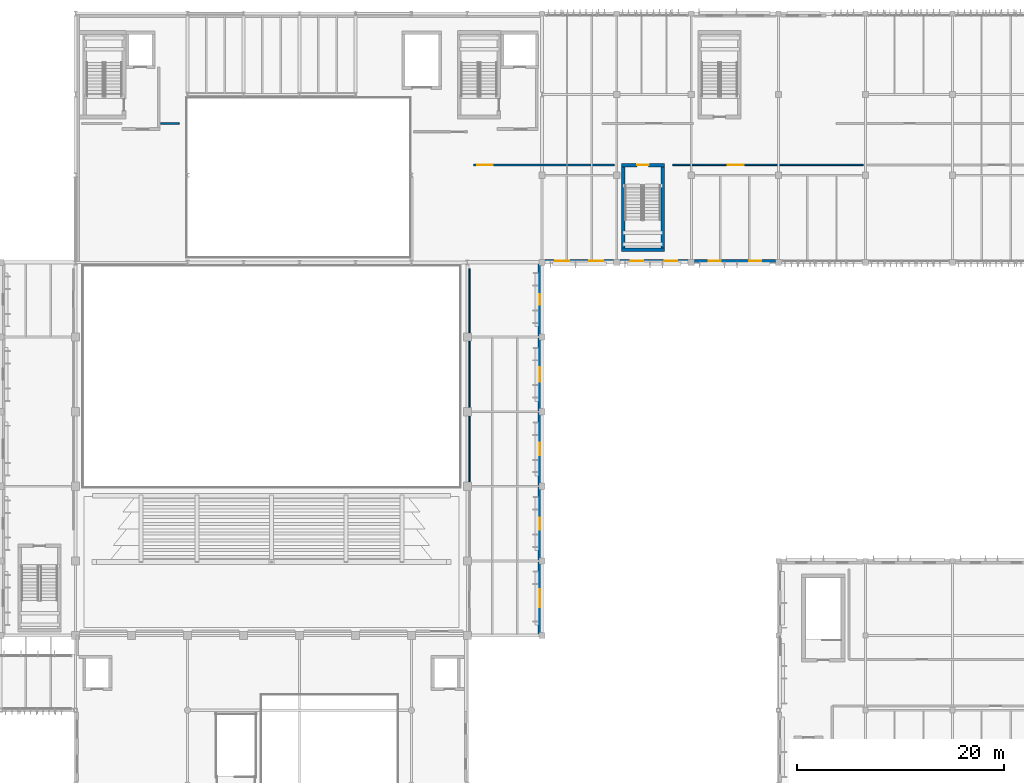
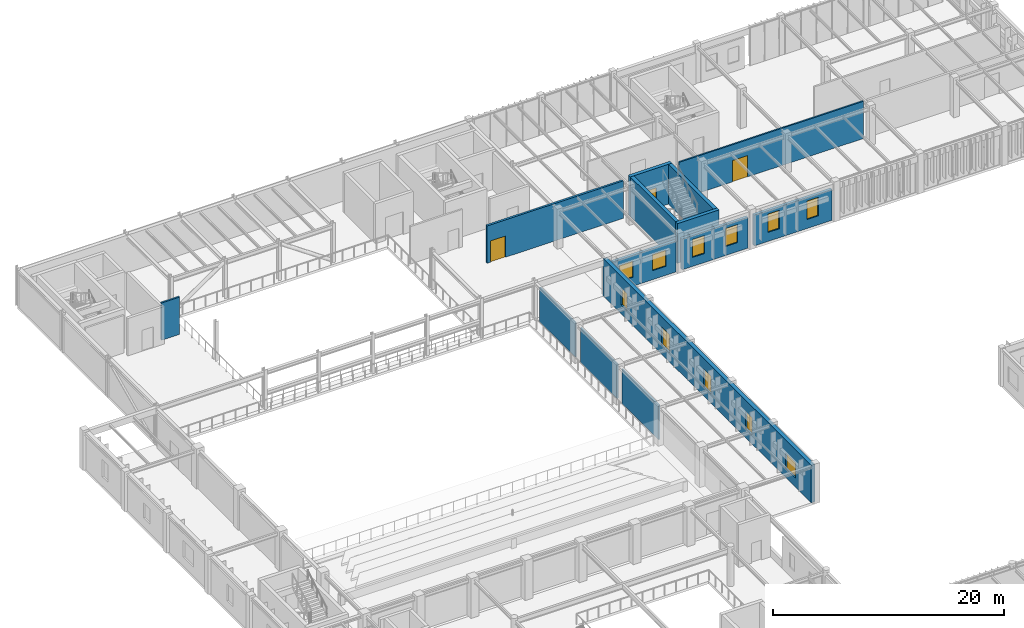
# One storey, part 44 of 104: 14 walls, 11 windows, 3 doors, 14 openings.
"""IFC4 building model written with IfcOpenShell, lengths in metres."""

from ifc_helpers import new_model, si_unit, direction, frame, frame_2d, origin, place, context, subcontext, project, spatial, rectangle, extrude, material, layer, layer_set, type_object, element, fill, save


model = new_model("IFC4")

# Units and contexts
model_context = context("Model", 3, precision=1e-05, world=origin(), true_north=direction((0.0, 1.0)))
body_context = subcontext(model_context, "Body", "Model", "MODEL_VIEW")
ifc_project = project(units=[si_unit("LENGTHUNIT", "METRE"), si_unit("AREAUNIT", "SQUARE_METRE"), si_unit("VOLUMEUNIT", "CUBIC_METRE"), si_unit("PLANEANGLEUNIT", "RADIAN"), si_unit("MASSUNIT", "GRAM", prefix="KILO")], contexts=[model_context])

# Site, building, storey
site_placement = place(None, origin())
site = spatial("IfcSite", under=ifc_project, at=site_placement, CompositionType="ELEMENT")
building_placement = place(site_placement, origin())
building = spatial("IfcBuilding", under=site, at=building_placement, Name="Tazoul Stagehouse", CompositionType="ELEMENT")
storey_placement = place(building_placement, frame((0.0, 0.0, 9.0)))
storey = spatial("IfcBuildingStorey", under=building, at=storey_placement, Name="L02", CompositionType="ELEMENT", Elevation=9.0)

# Wall, openings, windows
ifc_material_1 = material(Name="Concrete C40/50", Category="concrete")
ifc_layer_1 = layer(ifc_material_1, 0.3798828125, Name="Concrete C40/50")
ifc_layer_set_1 = layer_set([ifc_layer_1], Name="Concrete C40/50")
wall_type_1 = type_object("IfcWallType", Name="Auditorium Shell Acoustic Perimeter Wall 380", PredefinedType="SOLIDWALL", material=ifc_layer_set_1)
wall_1_placement = place(storey_placement, frame((102.409912109375, 87.800048828125, 0.0), z_axis=(0.0, 0.0, 1.0), x_axis=(0.0, -1.0, 0.0)))
wall_1 = element("IfcWall", 1, at=wall_1_placement, inside=storey, type_object=wall_type_1, Name="L02 Wall EW-380 (WALL-V1-E-L02-S1)", PredefinedType="SOLIDWALL", context=body_context, shape_type="SweptSolid", body=[
    extrude(rectangle(XDim=36.0, YDim=0.3798828125, at=frame_2d((18.0, 0.0))), origin(), (0.0, 0.0, 1.0), 3.9599609375),
])
opening_1_placement = place(wall_1_placement, frame((3.090087890625, 0.0, 0.949951171875)))
opening_1 = element("IfcOpeningElement", 2, at=opening_1_placement, cuts=wall_1, Name="Opening WN-62", PredefinedType="OPENING", context=body_context, shape_type="SweptSolid", body=[
    extrude(rectangle(XDim=1.02001953125, YDim=1.800048828125, at=frame_2d((0.510009765625, 0.89990234375))), frame((0.0, 0.2099609375, 0.0), z_axis=(0.0, -1.0, 0.0), x_axis=(1.0, 0.0, 0.0)), (0.0, 0.0, 1.0), 0.419921875),
])
opening_2_placement = place(wall_1_placement, frame((10.110107421875, 0.0, 0.949951171875)))
opening_2 = element("IfcOpeningElement", 3, at=opening_2_placement, cuts=wall_1, Name="Opening WN-74", PredefinedType="OPENING", context=body_context, shape_type="SweptSolid", body=[
    extrude(rectangle(XDim=1.3798828125, YDim=1.949951171875, at=frame_2d((0.68994140625, 0.97509765625))), frame((0.0, 0.2099609375, 0.0), z_axis=(0.0, -1.0, 0.0), x_axis=(1.0, 0.0, 0.0)), (0.0, 0.0, 1.0), 0.419921875),
])
opening_3_placement = place(wall_1_placement, frame((17.375, 0.0, 0.949951171875)))
opening_3 = element("IfcOpeningElement", 4, at=opening_3_placement, cuts=wall_1, Name="Opening WN-28", PredefinedType="OPENING", context=body_context, shape_type="SweptSolid", body=[
    extrude(rectangle(XDim=1.25, YDim=1.89990234375, at=frame_2d((0.625, 0.949951171875))), frame((0.0, 0.2099609375, 0.0), z_axis=(0.0, -1.0, 0.0), x_axis=(1.0, 0.0, 0.0)), (0.0, 0.0, 1.0), 0.419921875),
])
opening_4_placement = place(wall_1_placement, frame((24.6298828125, 0.0, 0.949951171875)))
opening_4 = element("IfcOpeningElement", 5, at=opening_4_placement, cuts=wall_1, Name="Opening WN-66", PredefinedType="OPENING", context=body_context, shape_type="SweptSolid", body=[
    extrude(rectangle(XDim=1.139892578125, YDim=1.85009765625, at=frame_2d((0.56982421875, 0.925048828125))), frame((0.0, 0.2099609375, 0.0), z_axis=(0.0, -1.0, 0.0), x_axis=(1.0, 0.0, 0.0)), (0.0, 0.0, 1.0), 0.419921875),
])
opening_5_placement = place(wall_1_placement, frame((31.52490234375, 0.0, 0.949951171875)))
opening_5 = element("IfcOpeningElement", 6, at=opening_5_placement, cuts=wall_1, Name="Opening WN-26", PredefinedType="OPENING", context=body_context, shape_type="SweptSolid", body=[
    extrude(rectangle(XDim=1.75, YDim=1.64990234375, at=frame_2d((0.875, 0.824951171875))), frame((0.0, 0.2099609375, 0.0), z_axis=(0.0, -1.0, 0.0), x_axis=(1.0, 0.0, 0.0)), (0.0, 0.0, 1.0), 0.419921875),
])
ifc_material_2 = material(Name="Double Low-E Acoustic Laminated Glass", Category="glass")
window_type_1 = type_object("IfcWindowType", Name="Architectural Acoustic Facade Window 1020x1800", PartitioningType="SINGLE_PANEL", PredefinedType="WINDOW", material=ifc_material_2)
window_1_placement = place(opening_1_placement, origin())
window_1 = element("IfcWindow", 7, at=window_1_placement, inside=storey, type_object=window_type_1, Name="L02 Window WN-62 (WALL-V1-E-L02-S1-B1-W1)", OverallHeight=1.800048828125, OverallWidth=1.02001953125, PartitioningType="SINGLE_PANEL", PredefinedType="WINDOW", context=body_context, shape_type="SweptSolid", body=[
    extrude(rectangle(XDim=1.02001953125, YDim=1.800048828125, at=frame_2d((0.510009765625, 0.89990234375))), frame((0.0, 0.030029296875, 0.0), z_axis=(0.0, -1.0, 0.0), x_axis=(1.0, 0.0, 0.0)), (0.0, 0.0, 1.0), 0.06005859375),
])
fill(opening_1, window_1)
window_type_2 = type_object("IfcWindowType", Name="Architectural Acoustic Facade Window 1140x1850", PartitioningType="SINGLE_PANEL", PredefinedType="WINDOW", material=ifc_material_2)
window_2_placement = place(opening_4_placement, origin())
window_2 = element("IfcWindow", 8, at=window_2_placement, inside=storey, type_object=window_type_2, Name="L02 Window WN-66 (WALL-V1-E-L02-S1-B4-W1)", OverallHeight=1.85009765625, OverallWidth=1.139892578125, PartitioningType="SINGLE_PANEL", PredefinedType="WINDOW", context=body_context, shape_type="SweptSolid", body=[
    extrude(rectangle(XDim=1.139892578125, YDim=1.85009765625, at=frame_2d((0.56982421875, 0.925048828125))), frame((0.0, 0.030029296875, 0.0), z_axis=(0.0, -1.0, 0.0), x_axis=(1.0, 0.0, 0.0)), (0.0, 0.0, 1.0), 0.06005859375),
])
fill(opening_4, window_2)
window_type_3 = type_object("IfcWindowType", Name="Architectural Acoustic Facade Window 1380x1950", PartitioningType="SINGLE_PANEL", PredefinedType="WINDOW", material=ifc_material_2)
window_3_placement = place(opening_2_placement, origin())
window_3 = element("IfcWindow", 9, at=window_3_placement, inside=storey, type_object=window_type_3, Name="L02 Window WN-74 (WALL-V1-E-L02-S1-B2-W1)", OverallHeight=1.949951171875, OverallWidth=1.3798828125, PartitioningType="SINGLE_PANEL", PredefinedType="WINDOW", context=body_context, shape_type="SweptSolid", body=[
    extrude(rectangle(XDim=1.3798828125, YDim=1.949951171875, at=frame_2d((0.68994140625, 0.97509765625))), frame((0.0, 0.030029296875, 0.0), z_axis=(0.0, -1.0, 0.0), x_axis=(1.0, 0.0, 0.0)), (0.0, 0.0, 1.0), 0.06005859375),
])
fill(opening_2, window_3)
window_type_4 = type_object("IfcWindowType", Name="Black-Box Studio Window 1250x1900", PartitioningType="SINGLE_PANEL", PredefinedType="WINDOW", material=ifc_material_2)
window_4_placement = place(opening_3_placement, origin())
window_4 = element("IfcWindow", 10, at=window_4_placement, inside=storey, type_object=window_type_4, Name="L02 Window WN-28 (WALL-V1-E-L02-S1-B3-W1)", OverallHeight=1.89990234375, OverallWidth=1.25, PartitioningType="SINGLE_PANEL", PredefinedType="WINDOW", context=body_context, shape_type="SweptSolid", body=[
    extrude(rectangle(XDim=1.25, YDim=1.89990234375, at=frame_2d((0.625, 0.949951171875))), frame((0.0, 0.030029296875, 0.0), z_axis=(0.0, -1.0, 0.0), x_axis=(1.0, 0.0, 0.0)), (0.0, 0.0, 1.0), 0.06005859375),
])
fill(opening_3, window_4)
window_type_5 = type_object("IfcWindowType", Name="Rehearsal Daylight Window 1750x1650", PartitioningType="SINGLE_PANEL", PredefinedType="WINDOW", material=ifc_material_2)
window_5_placement = place(opening_5_placement, origin())
window_5 = element("IfcWindow", 11, at=window_5_placement, inside=storey, type_object=window_type_5, Name="L02 Window WN-26 (WALL-V1-E-L02-S1-B5-W1)", OverallHeight=1.64990234375, OverallWidth=1.75, PartitioningType="SINGLE_PANEL", PredefinedType="WINDOW", context=body_context, shape_type="SweptSolid", body=[
    extrude(rectangle(XDim=1.75, YDim=1.64990234375, at=frame_2d((0.875, 0.824951171875))), frame((0.0, 0.030029296875, 0.0), z_axis=(0.0, -1.0, 0.0), x_axis=(1.0, 0.0, 0.0)), (0.0, 0.0, 1.0), 0.06005859375),
])
fill(opening_5, window_5)

# Walls
ifc_layer_2 = layer(ifc_material_1, 0.35009765625, Name="Concrete C40/50")
ifc_layer_set_2 = layer_set([ifc_layer_2], Name="Concrete C40/50")
wall_type_2 = type_object("IfcWallType", Name="Core Shear Wall 350", PredefinedType="SOLIDWALL", material=ifc_layer_set_2)
wall_2_placement = place(storey_placement, frame((114.39990234375, 89.02490234375, 0.0), z_axis=(0.0, 0.0, 1.0), x_axis=(-1.0, 0.0, 0.0)))
element("IfcWall", 12, at=wall_2_placement, inside=storey, type_object=wall_type_2, Name="L02 Core Wall CW-350 (SHF-ST-04-south)", PredefinedType="SOLIDWALL", context=body_context, shape_type="SweptSolid", body=[
    extrude(rectangle(XDim=4.14990234375, YDim=0.35009765625, at=frame_2d((2.074951171875, 0.0))), origin(), (0.0, 0.0, 1.0), 4.199951171875),
])
wall_3_placement = place(storey_placement, frame((110.425048828125, 89.199951171875, 0.0), z_axis=(0.0, 0.0, 1.0), x_axis=(0.0, 1.0, 0.0)))
element("IfcWall", 13, at=wall_3_placement, inside=storey, type_object=wall_type_2, Name="L02 Core Wall CW-350 (SHF-ST-04-west)", PredefinedType="SOLIDWALL", context=body_context, shape_type="SweptSolid", body=[
    extrude(rectangle(XDim=7.800048828125, YDim=0.35009765625, at=frame_2d((3.89990234375, 0.0))), origin(), (0.0, 0.0, 1.0), 4.199951171875),
])

# Wall, opening, door
wall_4_placement = place(storey_placement, frame((110.25, 97.175048828125, 0.0), z_axis=(0.0, 0.0, 1.0), x_axis=(1.0, 0.0, 0.0)))
wall_4 = element("IfcWall", 14, at=wall_4_placement, inside=storey, type_object=wall_type_2, Name="L02 Core Wall CW-350 (SHF-ST-04-north)", PredefinedType="SOLIDWALL", context=body_context, shape_type="SweptSolid", body=[
    extrude(rectangle(XDim=4.14990234375, YDim=0.35009765625, at=frame_2d((2.074951171875, 0.0))), origin(), (0.0, 0.0, 1.0), 4.199951171875),
])
opening_6_placement = place(wall_4_placement, frame((1.52490234375, 0.0, 0.0)))
opening_6 = element("IfcOpeningElement", 15, at=opening_6_placement, cuts=wall_4, Name="Opening FD-01", PredefinedType="OPENING", context=body_context, shape_type="SweptSolid", body=[
    extrude(rectangle(XDim=1.10009765625, YDim=2.14990234375, at=frame_2d((0.550048828125, 1.074951171875))), frame((0.0, 0.195068359375, 0.0), z_axis=(0.0, -1.0, 0.0), x_axis=(1.0, 0.0, 0.0)), (0.0, 0.0, 1.0), 0.39013671875),
])
ifc_material_3 = material(Name="Powder-Coated Galvanised Acoustic Steel", Category="steel")
door_type_1 = type_object("IfcDoorType", Name="Core Escape Stair Fire Door 1100x2150", OperationType="NOTDEFINED", PredefinedType="DOOR", material=ifc_material_3)
door_1_placement = place(opening_6_placement, origin())
door_1 = element("IfcDoor", 16, at=door_1_placement, inside=storey, type_object=door_type_1, Name="L02 Escape Stair Fire Door FD-01 (ST-04)", OperationType="SINGLE_SWING_RIGHT", OverallHeight=2.14990234375, OverallWidth=1.10009765625, PredefinedType="DOOR", context=body_context, shape_type="SweptSolid", body=[
    extrude(rectangle(XDim=1.10009765625, YDim=2.14990234375, at=frame_2d((0.550048828125, 1.074951171875))), frame((0.0, 0.02490234375, 0.0), z_axis=(0.0, -1.0, 0.0), x_axis=(1.0, 0.0, 0.0)), (0.0, 0.0, 1.0), 0.050048828125),
])
fill(opening_6, door_1)

# Walls
wall_5_placement = place(storey_placement, frame((114.22509765625, 97.0, 0.0), z_axis=(0.0, 0.0, 1.0), x_axis=(0.0, -1.0, 0.0)))
element("IfcWall", 17, at=wall_5_placement, inside=storey, type_object=wall_type_2, Name="L02 Core Wall CW-350 (SHF-ST-04-east)", PredefinedType="SOLIDWALL", context=body_context, shape_type="SweptSolid", body=[
    extrude(rectangle(XDim=7.800048828125, YDim=0.35009765625, at=frame_2d((3.89990234375, 0.0))), origin(), (0.0, 0.0, 1.0), 4.199951171875),
])
ifc_material_4 = material(Name="Gypsum Acoustic Partition", Category="gypsum")
ifc_layer_3 = layer(ifc_material_4, 0.169921875, Name="Gypsum Acoustic Partition")
ifc_layer_set_3 = layer_set([ifc_layer_3], Name="Gypsum Acoustic Partition")
wall_type_3 = type_object("IfcWallType", Name="Corridor Fire-Rated Partition 170", PredefinedType="PARTITIONING", material=ifc_layer_set_3)
wall_6_placement = place(storey_placement, frame((65.800048828125, 101.199951171875, 0.0), z_axis=(0.0, 0.0, 1.0), x_axis=(1.0, 0.0, 0.0)))
element("IfcWall", 18, at=wall_6_placement, inside=storey, type_object=wall_type_3, Name="L02 Partition PW-170 (PW-RM-L02-058-N-S2)", PredefinedType="PARTITIONING", context=body_context, shape_type="SweptSolid", body=[
    extrude(rectangle(XDim=1.800048828125, YDim=0.169921875, at=frame_2d((0.89990234375, 0.0))), origin(), (0.0, 0.0, 1.0), 3.949951171875),
])

# Wall, opening, door
ifc_layer_4 = layer(ifc_material_4, 0.14990234375, Name="Gypsum Acoustic Partition")
ifc_layer_set_4 = layer_set([ifc_layer_4], Name="Gypsum Acoustic Partition")
wall_type_4 = type_object("IfcWallType", Name="Dressing Suite Acoustic Partition 150", PredefinedType="PARTITIONING", material=ifc_layer_set_4)
wall_7_placement = place(storey_placement, frame((115.199951171875, 97.199951171875, 0.0), z_axis=(0.0, 0.0, 1.0), x_axis=(1.0, 0.0, 0.0)))
wall_7 = element("IfcWall", 19, at=wall_7_placement, inside=storey, type_object=wall_type_4, Name="L02 Partition PW-150 (PW-RM-L02-062-N)", PredefinedType="PARTITIONING", context=body_context, shape_type="SweptSolid", body=[
    extrude(rectangle(XDim=18.400146484375, YDim=0.14990234375, at=frame_2d((9.2001953125, 0.0))), origin(), (0.0, 0.0, 1.0), 3.929931640625),
])
opening_7_placement = place(wall_7_placement, frame((5.334716796875, 0.0, 0.0)))
opening_7 = element("IfcOpeningElement", 20, at=opening_7_placement, cuts=wall_7, Name="Opening ID-20", PredefinedType="OPENING", context=body_context, shape_type="SweptSolid", body=[
    extrude(rectangle(XDim=1.5, YDim=2.25, at=frame_2d((0.75, 1.125))), frame((0.0, 0.094970703125, 0.0), z_axis=(0.0, -1.0, 0.0), x_axis=(1.0, 0.0, 0.0)), (0.0, 0.0, 1.0), 0.18994140625),
])
ifc_material_5 = material(Name="Acoustic Cedar Timber", Category="wood")
door_type_2 = type_object("IfcDoorType", Name="Wardrobe Workshop Double Door 1500x2250", OperationType="DOUBLE_DOOR_SINGLE_SWING", PredefinedType="DOOR", material=ifc_material_5)
door_2_placement = place(opening_7_placement, origin())
door_2 = element("IfcDoor", 21, at=door_2_placement, inside=storey, type_object=door_type_2, Name="L02 Costume Dyeing and Laundry Room Door", OperationType="DOUBLE_DOOR_SINGLE_SWING", OverallHeight=2.25, OverallWidth=1.5, PredefinedType="DOOR", context=body_context, shape_type="SweptSolid", body=[
    extrude(rectangle(XDim=1.5, YDim=2.25, at=frame_2d((0.75, 1.125))), frame((0.0, 0.02490234375, 0.0), z_axis=(0.0, -1.0, 0.0), x_axis=(1.0, 0.0, 0.0)), (0.0, 0.0, 1.0), 0.050048828125),
])
fill(opening_7, door_2)

# Wall, openings, windows
ifc_material_6 = material(Name="Precast concrete C40/50", Category="concrete")
ifc_layer_5 = layer(ifc_material_6, 0.280029296875, Name="Precast concrete C40/50")
ifc_layer_set_5 = layer_set([ifc_layer_5], Name="Precast concrete C40/50")
wall_type_5 = type_object("IfcWallType", Name="Insulated Precast Acoustic Cladding Wall 280", PredefinedType="SOLIDWALL", material=ifc_layer_set_5)
wall_8_placement = place(storey_placement, frame((102.905029296875, 87.949951171875, 0.0), z_axis=(0.0, 0.0, 1.0), x_axis=(1.0, 0.0, 0.0)))
wall_8 = element("IfcWall", 22, at=wall_8_placement, inside=storey, type_object=wall_type_5, Name="L02 Wall EW-280 (WALL-V3-S1-L02-S1)", PredefinedType="SOLIDWALL", context=body_context, shape_type="SweptSolid", body=[
    extrude(rectangle(XDim=6.590087890625, YDim=0.280029296875, at=frame_2d((3.294921875, 0.0))), origin(), (0.0, 0.0, 1.0), 3.262939453125),
])
opening_8_placement = place(wall_8_placement, frame((0.972412109375, 0.0, 0.949951171875)))
opening_8 = element("IfcOpeningElement", 23, at=opening_8_placement, cuts=wall_8, Name="Opening WN-48", PredefinedType="OPENING", context=body_context, shape_type="SweptSolid", body=[
    extrude(rectangle(XDim=1.35009765625, YDim=1.699951171875, at=frame_2d((0.675048828125, 0.85009765625))), frame((0.0, 0.159912109375, 0.0), z_axis=(0.0, -1.0, 0.0), x_axis=(1.0, 0.0, 0.0)), (0.0, 0.0, 1.0), 0.320068359375),
])
opening_9_placement = place(wall_8_placement, frame((4.267578125, 0.0, 0.949951171875)))
opening_9 = element("IfcOpeningElement", 24, at=opening_9_placement, cuts=wall_8, Name="Opening WN-48", PredefinedType="OPENING", context=body_context, shape_type="SweptSolid", body=[
    extrude(rectangle(XDim=1.35009765625, YDim=1.699951171875, at=frame_2d((0.675048828125, 0.85009765625))), frame((0.0, 0.159912109375, 0.0), z_axis=(0.0, -1.0, 0.0), x_axis=(1.0, 0.0, 0.0)), (0.0, 0.0, 1.0), 0.320068359375),
])
window_type_6 = type_object("IfcWindowType", Name="Architectural Acoustic Facade Window 1350x1700", PartitioningType="SINGLE_PANEL", PredefinedType="WINDOW", material=ifc_material_2)
window_6_placement = place(opening_8_placement, origin())
window_6 = element("IfcWindow", 25, at=window_6_placement, inside=storey, type_object=window_type_6, Name="L02 Window WN-48 (WALL-V3-S1-L02-S1-W1)", OverallHeight=1.699951171875, OverallWidth=1.35009765625, PartitioningType="SINGLE_PANEL", PredefinedType="WINDOW", context=body_context, shape_type="SweptSolid", body=[
    extrude(rectangle(XDim=1.35009765625, YDim=1.699951171875, at=frame_2d((0.675048828125, 0.85009765625))), frame((0.0, 0.030029296875, 0.0), z_axis=(0.0, -1.0, 0.0), x_axis=(1.0, 0.0, 0.0)), (0.0, 0.0, 1.0), 0.06005859375),
])
fill(opening_8, window_6)
window_7_placement = place(opening_9_placement, origin())
window_7 = element("IfcWindow", 26, at=window_7_placement, inside=storey, type_object=window_type_6, Name="L02 Window WN-48 (WALL-V3-S1-L02-S1-W2)", OverallHeight=1.699951171875, OverallWidth=1.35009765625, PartitioningType="SINGLE_PANEL", PredefinedType="WINDOW", context=body_context, shape_type="SweptSolid", body=[
    extrude(rectangle(XDim=1.35009765625, YDim=1.699951171875, at=frame_2d((0.675048828125, 0.85009765625))), frame((0.0, 0.030029296875, 0.0), z_axis=(0.0, -1.0, 0.0), x_axis=(1.0, 0.0, 0.0)), (0.0, 0.0, 1.0), 0.06005859375),
])
fill(opening_9, window_7)

wall_9_placement = place(storey_placement, frame((110.10498046875, 87.949951171875, 0.0), z_axis=(0.0, 0.0, 1.0), x_axis=(1.0, 0.0, 0.0)))
wall_9 = element("IfcWall", 27, at=wall_9_placement, inside=storey, type_object=wall_type_5, Name="L02 Wall EW-280 (WALL-V3-S1-L02-S2)", PredefinedType="SOLIDWALL", context=body_context, shape_type="SweptSolid", body=[
    extrude(rectangle(XDim=6.590087890625, YDim=0.280029296875, at=frame_2d((3.294921875, 0.0))), origin(), (0.0, 0.0, 1.0), 3.262939453125),
])
opening_10_placement = place(wall_9_placement, frame((1.047607421875, 0.0, 0.949951171875)))
opening_10 = element("IfcOpeningElement", 28, at=opening_10_placement, cuts=wall_9, Name="Opening WN-68", PredefinedType="OPENING", context=body_context, shape_type="SweptSolid", body=[
    extrude(rectangle(XDim=1.199951171875, YDim=1.89990234375, at=frame_2d((0.60009765625, 0.949951171875))), frame((0.0, 0.159912109375, 0.0), z_axis=(0.0, -1.0, 0.0), x_axis=(1.0, 0.0, 0.0)), (0.0, 0.0, 1.0), 0.320068359375),
])
opening_11_placement = place(wall_9_placement, frame((4.342529296875, 0.0, 0.949951171875)))
opening_11 = element("IfcOpeningElement", 29, at=opening_11_placement, cuts=wall_9, Name="Opening WN-68", PredefinedType="OPENING", context=body_context, shape_type="SweptSolid", body=[
    extrude(rectangle(XDim=1.199951171875, YDim=1.89990234375, at=frame_2d((0.60009765625, 0.949951171875))), frame((0.0, 0.159912109375, 0.0), z_axis=(0.0, -1.0, 0.0), x_axis=(1.0, 0.0, 0.0)), (0.0, 0.0, 1.0), 0.320068359375),
])
window_type_7 = type_object("IfcWindowType", Name="Architectural Acoustic Facade Window 1200x1900", PartitioningType="SINGLE_PANEL", PredefinedType="WINDOW", material=ifc_material_2)
window_8_placement = place(opening_10_placement, origin())
window_8 = element("IfcWindow", 30, at=window_8_placement, inside=storey, type_object=window_type_7, Name="L02 Window WN-68 (WALL-V3-S1-L02-S2-W1)", OverallHeight=1.89990234375, OverallWidth=1.199951171875, PartitioningType="SINGLE_PANEL", PredefinedType="WINDOW", context=body_context, shape_type="SweptSolid", body=[
    extrude(rectangle(XDim=1.199951171875, YDim=1.89990234375, at=frame_2d((0.60009765625, 0.949951171875))), frame((0.0, 0.030029296875, 0.0), z_axis=(0.0, -1.0, 0.0), x_axis=(1.0, 0.0, 0.0)), (0.0, 0.0, 1.0), 0.06005859375),
])
fill(opening_10, window_8)
window_9_placement = place(opening_11_placement, origin())
window_9 = element("IfcWindow", 31, at=window_9_placement, inside=storey, type_object=window_type_7, Name="L02 Window WN-68 (WALL-V3-S1-L02-S2-W2)", OverallHeight=1.89990234375, OverallWidth=1.199951171875, PartitioningType="SINGLE_PANEL", PredefinedType="WINDOW", context=body_context, shape_type="SweptSolid", body=[
    extrude(rectangle(XDim=1.199951171875, YDim=1.89990234375, at=frame_2d((0.60009765625, 0.949951171875))), frame((0.0, 0.030029296875, 0.0), z_axis=(0.0, -1.0, 0.0), x_axis=(1.0, 0.0, 0.0)), (0.0, 0.0, 1.0), 0.06005859375),
])
fill(opening_11, window_9)

wall_10_placement = place(storey_placement, frame((117.304931640625, 87.949951171875, 0.0), z_axis=(0.0, 0.0, 1.0), x_axis=(1.0, 0.0, 0.0)))
wall_10 = element("IfcWall", 32, at=wall_10_placement, inside=storey, type_object=wall_type_5, Name="L02 Wall EW-280 (WALL-V3-S1-L02-S3)", PredefinedType="SOLIDWALL", context=body_context, shape_type="SweptSolid", body=[
    extrude(rectangle(XDim=7.7900390625, YDim=0.280029296875, at=frame_2d((3.89501953125, 0.0))), origin(), (0.0, 0.0, 1.0), 3.262939453125),
])
opening_12_placement = place(wall_10_placement, frame((1.37255859375, 0.0, 0.949951171875)))
opening_12 = element("IfcOpeningElement", 33, at=opening_12_placement, cuts=wall_10, Name="Opening WN-21", PredefinedType="OPENING", context=body_context, shape_type="SweptSolid", body=[
    extrude(rectangle(XDim=1.14990234375, YDim=1.949951171875, at=frame_2d((0.574951171875, 0.97509765625))), frame((0.0, 0.159912109375, 0.0), z_axis=(0.0, -1.0, 0.0), x_axis=(1.0, 0.0, 0.0)), (0.0, 0.0, 1.0), 0.320068359375),
])
opening_13_placement = place(wall_10_placement, frame((5.267578125, 0.0, 0.949951171875)))
opening_13 = element("IfcOpeningElement", 34, at=opening_13_placement, cuts=wall_10, Name="Opening WN-21", PredefinedType="OPENING", context=body_context, shape_type="SweptSolid", body=[
    extrude(rectangle(XDim=1.14990234375, YDim=1.949951171875, at=frame_2d((0.574951171875, 0.97509765625))), frame((0.0, 0.159912109375, 0.0), z_axis=(0.0, -1.0, 0.0), x_axis=(1.0, 0.0, 0.0)), (0.0, 0.0, 1.0), 0.320068359375),
])
window_type_8 = type_object("IfcWindowType", Name="Studio Drum Acoustic Window 1150x1950", PartitioningType="SINGLE_PANEL", PredefinedType="WINDOW", material=ifc_material_2)
window_10_placement = place(opening_12_placement, origin())
window_10 = element("IfcWindow", 35, at=window_10_placement, inside=storey, type_object=window_type_8, Name="L02 Window WN-21 (WALL-V3-S1-L02-S3-W1)", OverallHeight=1.949951171875, OverallWidth=1.14990234375, PartitioningType="SINGLE_PANEL", PredefinedType="WINDOW", context=body_context, shape_type="SweptSolid", body=[
    extrude(rectangle(XDim=1.14990234375, YDim=1.949951171875, at=frame_2d((0.574951171875, 0.97509765625))), frame((0.0, 0.030029296875, 0.0), z_axis=(0.0, -1.0, 0.0), x_axis=(1.0, 0.0, 0.0)), (0.0, 0.0, 1.0), 0.06005859375),
])
fill(opening_12, window_10)
window_11_placement = place(opening_13_placement, origin())
window_11 = element("IfcWindow", 36, at=window_11_placement, inside=storey, type_object=window_type_8, Name="L02 Window WN-21 (WALL-V3-S1-L02-S3-W2)", OverallHeight=1.949951171875, OverallWidth=1.14990234375, PartitioningType="SINGLE_PANEL", PredefinedType="WINDOW", context=body_context, shape_type="SweptSolid", body=[
    extrude(rectangle(XDim=1.14990234375, YDim=1.949951171875, at=frame_2d((0.574951171875, 0.97509765625))), frame((0.0, 0.030029296875, 0.0), z_axis=(0.0, -1.0, 0.0), x_axis=(1.0, 0.0, 0.0)), (0.0, 0.0, 1.0), 0.06005859375),
])
fill(opening_13, window_11)

# Walls
ifc_layer_6 = layer(ifc_material_4, 0.1298828125, Name="Gypsum Acoustic Partition")
ifc_layer_set_6 = layer_set([ifc_layer_6], Name="Gypsum Acoustic Partition")
wall_type_6 = type_object("IfcWallType", Name="Office Drywall Partition 130", PredefinedType="PARTITIONING", material=ifc_layer_set_6)
for number, where, z_axis, x_axis, name in (
    (37, (95.60009765625, 66.6201171875, 0.0), (0.0, 0.0, 1.0), (0.0, 1.0, 0.0), "L02 Partition PW-130 (PW-RM-L02-122-W-S3)"),
    (38, (95.60009765625, 73.820068359375, 0.0), (0.0, 0.0, 1.0), (0.0, 1.0, 0.0), "L02 Partition PW-130 (PW-RM-L02-122-W-S4)"),
):
    element("IfcWall", number, at=place(storey_placement, frame(where, z_axis=z_axis, x_axis=x_axis)), inside=storey, type_object=wall_type_6, Name=name, PredefinedType="PARTITIONING", context=body_context, shape_type="SweptSolid", body=[
        extrude(rectangle(XDim=6.35986328125, YDim=0.1298828125, at=frame_2d((3.179931640625, 0.0))), origin(), (0.0, 0.0, 1.0), 3.659912109375),
    ])
wall_11_placement = place(storey_placement, frame((95.60009765625, 81.02001953125, 0.0), z_axis=(0.0, 0.0, 1.0), x_axis=(0.0, 1.0, 0.0)))
element("IfcWall", 39, at=wall_11_placement, inside=storey, type_object=wall_type_6, Name="L02 Partition PW-130 (PW-RM-L02-122-W-S5)", PredefinedType="PARTITIONING", context=body_context, shape_type="SweptSolid", body=[
    extrude(rectangle(XDim=6.179931640625, YDim=0.1298828125, at=frame_2d((3.08984375, 0.0))), origin(), (0.0, 0.0, 1.0), 3.64990234375),
])

# Wall, opening, door
ifc_layer_7 = layer(ifc_material_4, 0.2099609375, Name="Gypsum Acoustic Partition")
ifc_layer_set_7 = layer_set([ifc_layer_7], Name="Gypsum Acoustic Partition")
wall_type_7 = type_object("IfcWallType", Name="Rehearsal Room Acoustic Partition 210", PredefinedType="PARTITIONING", material=ifc_layer_set_7)
wall_12_placement = place(storey_placement, frame((96.0, 97.199951171875, 0.0), z_axis=(0.0, 0.0, 1.0), x_axis=(1.0, 0.0, 0.0)))
wall_12 = element("IfcWall", 40, at=wall_12_placement, inside=storey, type_object=wall_type_7, Name="L02 Partition PW-210 (PW-RM-L02-061-N)", PredefinedType="PARTITIONING", context=body_context, shape_type="SweptSolid", body=[
    extrude(rectangle(XDim=13.60009765625, YDim=0.2099609375, at=frame_2d((6.800048828125, 0.0))), origin(), (0.0, 0.0, 1.0), 3.949951171875),
])
opening_14_placement = place(wall_12_placement, frame((0.35009765625, 0.0, 0.0)))
opening_14 = element("IfcOpeningElement", 41, at=opening_14_placement, cuts=wall_12, Name="Opening ID-20", PredefinedType="OPENING", context=body_context, shape_type="SweptSolid", body=[
    extrude(rectangle(XDim=1.5, YDim=2.25, at=frame_2d((0.75, 1.125))), frame((0.0, 0.125, 0.0), z_axis=(0.0, -1.0, 0.0), x_axis=(1.0, 0.0, 0.0)), (0.0, 0.0, 1.0), 0.25),
])
door_3_placement = place(opening_14_placement, origin())
door_3 = element("IfcDoor", 42, at=door_3_placement, inside=storey, type_object=door_type_2, Name="L02 Wardrobe Tailoring and Cutting Workshop Door", OperationType="DOUBLE_DOOR_SINGLE_SWING", OverallHeight=2.25, OverallWidth=1.5, PredefinedType="DOOR", context=body_context, shape_type="SweptSolid", body=[
    extrude(rectangle(XDim=1.5, YDim=2.25, at=frame_2d((0.75, 1.125))), frame((0.0, 0.02490234375, 0.0), z_axis=(0.0, -1.0, 0.0), x_axis=(1.0, 0.0, 0.0)), (0.0, 0.0, 1.0), 0.050048828125),
])
fill(opening_14, door_3)

save(model, "model.ifc")
